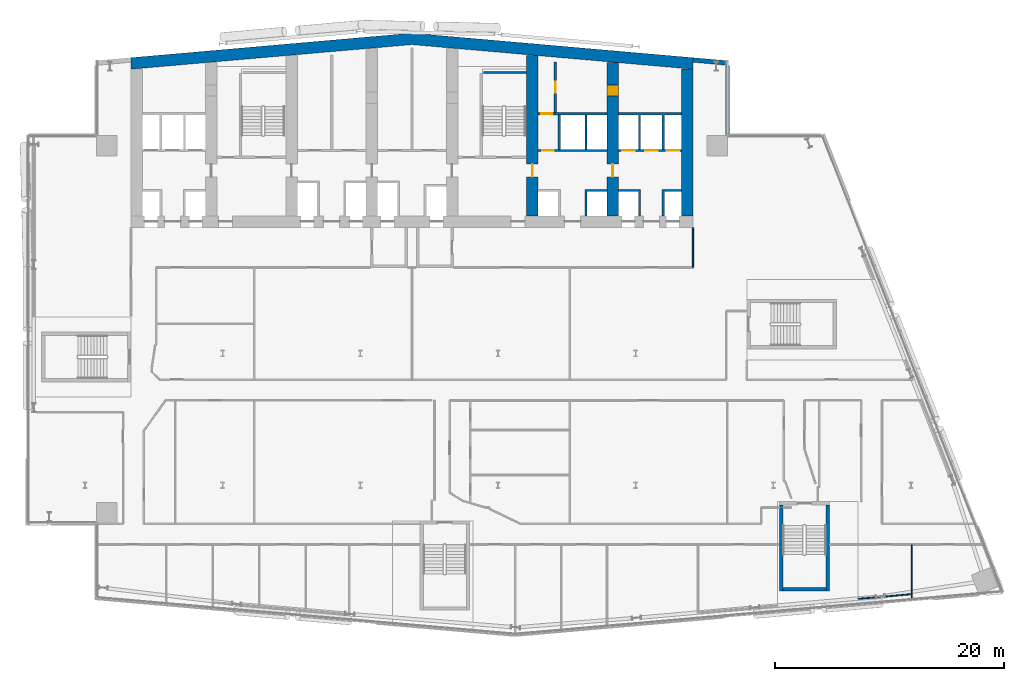
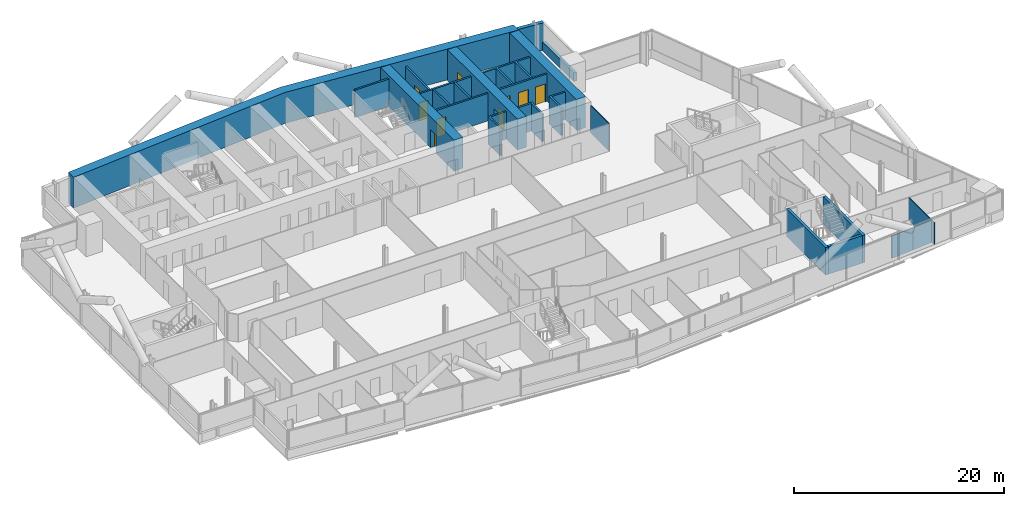
# One storey, part 19 of 27: 24 walls, 9 doors, 9 openings.
"""IFC4 building model written with IfcOpenShell, lengths in metres."""

from ifc_helpers import new_model, si_unit, direction, frame, frame_2d, origin, place, context, subcontext, project, spatial, polyline, rectangle, outline, extrude, material, layer, layer_set, type_object, element, fill, save


model = new_model("IFC4")

# Units and contexts
model_context = context("Model", 3, precision=1e-05, world=origin(), true_north=direction((0.0, 1.0)))
body_context = subcontext(model_context, "Body", "Model", "MODEL_VIEW")
ifc_project = project(units=[si_unit("LENGTHUNIT", "METRE"), si_unit("AREAUNIT", "SQUARE_METRE"), si_unit("VOLUMEUNIT", "CUBIC_METRE"), si_unit("PLANEANGLEUNIT", "RADIAN"), si_unit("MASSUNIT", "GRAM", prefix="KILO")], contexts=[model_context])

# Site, building, storey
site_placement = place(None, origin())
site = spatial("IfcSite", under=ifc_project, at=site_placement, CompositionType="ELEMENT")
building_placement = place(site_placement, origin())
building = spatial("IfcBuilding", under=site, at=building_placement, Name="Wharfspan Tower", CompositionType="ELEMENT")
storey_placement = place(building_placement, frame((0.0, 0.0, 136.300049)))
storey = spatial("IfcBuildingStorey", under=building, at=storey_placement, Name="L32", CompositionType="ELEMENT", Elevation=136.300049)

# Walls
ifc_material_1 = material(Name="Gypsum board on steel studs", Category="steel")
ifc_layer_1 = layer(ifc_material_1, 0.100098)
ifc_layer_set_1 = layer_set([ifc_layer_1], Name="Gypsum board on steel studs")
wall_type_1 = type_object("IfcWallType", Name="Compartment wall 100 EI 60", PredefinedType="PARTITIONING", material=ifc_layer_set_1)
wall_1_placement = place(storey_placement, frame((65.0, 30.5, 0.0), z_axis=(0.0, 0.0, 1.0), x_axis=(0.0, 1.0, 0.0)))
element("IfcWall", 1, at=wall_1_placement, inside=storey, type_object=wall_type_1, Name="Partition L32.w055", PredefinedType="PARTITIONING", context=body_context, shape_type="SweptSolid", body=[
    extrude(rectangle(XDim=3.47998, YDim=0.100098, at=frame_2d((1.73999, 0.0))), origin(), (0.0, 0.0, 1.0), 3.199951),
])
wall_2_placement = place(storey_placement, frame((84.060059, 1.525391, 0.0), z_axis=(0.0, 0.0, 1.0), x_axis=(0.0, 1.0, 0.0)))
element("IfcWall", 2, at=wall_2_placement, inside=storey, type_object=wall_type_1, Name="Partition L32.w087", PredefinedType="PARTITIONING", context=body_context, shape_type="SweptSolid", body=[
    extrude(rectangle(XDim=4.81958, YDim=0.100098, at=frame_2d((2.409668, 0.0))), origin(), (0.0, 0.0, 1.0), 2.579834),
])

# Wall, opening, door
ifc_material_2 = material(Name="Calcium silicate masonry", Category="masonry")
ifc_layer_2 = layer(ifc_material_2, 0.199951)
ifc_layer_set_2 = layer_set([ifc_layer_2], Name="Calcium silicate masonry")
wall_type_2 = type_object("IfcWallType", Name="Core room wall 200", PredefinedType="PARTITIONING", material=ifc_layer_set_2)
wall_3_placement = place(storey_placement, frame((53.0, 44.0, 0.0), z_axis=(0.0, 0.0, 1.0), x_axis=(0.0, 1.0, 0.0)))
wall_3 = element("IfcWall", 3, at=wall_3_placement, inside=storey, type_object=wall_type_2, Name="sw:L32:RP6.1", PredefinedType="PARTITIONING", context=body_context, shape_type="SweptSolid", body=[
    extrude(rectangle(XDim=4.419678, YDim=0.199951, at=frame_2d((2.209961, 0.0))), origin(), (0.0, 0.0, 1.0), 3.199951),
])
opening_1_placement = place(wall_3_placement, frame((1.709961, 0.0, 0.0)))
opening_1 = element("IfcOpeningElement", 4, at=opening_1_placement, cuts=wall_3, Name="Opening CD32.6P1", PredefinedType="OPENING", context=body_context, shape_type="SweptSolid", body=[
    extrude(rectangle(XDim=1.0, YDim=2.100098, at=frame_2d((0.5, 1.050049))), frame((0.0, 0.109863, 0.0), z_axis=(0.0, -1.0, 0.0), x_axis=(1.0, 0.0, 0.0)), (0.0, 0.0, 1.0), 0.219971),
])
ifc_material_3 = material(Name="Steel door leaf", Category="steel")
door_type_1 = type_object("IfcDoorType", Name="Core room door 1000x2100", OperationType="SINGLE_SWING_LEFT", PredefinedType="DOOR", material=ifc_material_3)
door_1_placement = place(opening_1_placement, origin())
door_1 = element("IfcDoor", 5, at=door_1_placement, inside=storey, type_object=door_type_1, Name="d:L32:6:rp1", OperationType="SINGLE_SWING_LEFT", OverallHeight=2.100098, OverallWidth=1.0, PredefinedType="DOOR", context=body_context, shape_type="SweptSolid", body=[
    extrude(rectangle(XDim=1.0, YDim=2.100098, at=frame_2d((0.5, 1.050049))), frame((0.0, 0.024902, 0.0), z_axis=(0.0, -1.0, 0.0), x_axis=(1.0, 0.0, 0.0)), (0.0, 0.0, 1.0), 0.050049),
])
fill(opening_1, door_1)

# Wall
ifc_material_4 = material(Name="Concrete C70/85", Category="concrete")
ifc_layer_3 = layer(ifc_material_4, 1.0)
ifc_layer_set_3 = layer_set([ifc_layer_3], Name="Concrete C70/85")
wall_type_3 = type_object("IfcWallType", Name="Core wall 1000 C70/85", PredefinedType="SHEAR", material=ifc_layer_set_3)
wall_4_placement = place(storey_placement, frame((0.0, 0.0, -0.000244)))
element("IfcWall", 6, at=wall_4_placement, inside=storey, type_object=wall_type_3, Name="Core rear wall L32", PredefinedType="SHEAR", context=body_context, shape_type="SweptSolid", body=[
    extrude(outline(polyline([(16.0, 47.783691), (40.5, 49.927002), (65.0, 47.783691), (65.0, 48.787354), (40.5, 50.930908), (16.0, 48.787354), (16.0, 47.783691)])), origin(), (0.0, 0.0, 1.0), 3.600098),
])

# Wall, opening, door
wall_5_placement = place(storey_placement, frame((51.0, 35.0, 0.0), z_axis=(0.0, 0.0, 1.0), x_axis=(0.0, 1.0, 0.0)))
wall_5 = element("IfcWall", 7, at=wall_5_placement, inside=storey, type_object=wall_type_3, Name="Core cross wall X6 L32", PredefinedType="SHEAR", context=body_context, shape_type="SweptSolid", body=[
    extrude(rectangle(XDim=13.9646, YDim=1.0, at=frame_2d((6.982422, 0.0))), origin(), (0.0, 0.0, 1.0), 3.599854),
])
opening_2_placement = place(wall_5_placement, frame((3.399902, 0.0, 0.0)))
opening_2 = element("IfcOpeningElement", 8, at=opening_2_placement, cuts=wall_5, Name="Opening CC32.6", PredefinedType="OPENING", context=body_context, shape_type="SweptSolid", body=[
    extrude(rectangle(XDim=1.100098, YDim=2.100098, at=frame_2d((0.550049, 1.050049))), frame((0.0, 0.51001, 0.0), z_axis=(0.0, -1.0, 0.0), x_axis=(1.0, 0.0, 0.0)), (0.0, 0.0, 1.0), 1.02002),
])
door_type_2 = type_object("IfcDoorType", Name="Core corridor door 1100x2100", OperationType="SINGLE_SWING_LEFT", PredefinedType="DOOR", material=ifc_material_3)
door_2_placement = place(opening_2_placement, origin())
door_2 = element("IfcDoor", 9, at=door_2_placement, inside=storey, type_object=door_type_2, Name="xd:L32:6", OperationType="SINGLE_SWING_RIGHT", OverallHeight=2.100098, OverallWidth=1.100098, PredefinedType="DOOR", context=body_context, shape_type="SweptSolid", body=[
    extrude(rectangle(XDim=1.100098, YDim=2.100098, at=frame_2d((0.550049, 1.050049))), frame((0.0, 0.024902, 0.0), z_axis=(0.0, -1.0, 0.0), x_axis=(1.0, 0.0, 0.0)), (0.0, 0.0, 1.0), 0.050049),
])
fill(opening_2, door_2)

# Wall, openings, doors
wall_6_placement = place(storey_placement, frame((58.0, 35.0, 0.0), z_axis=(0.0, 0.0, 1.0), x_axis=(0.0, 1.0, 0.0)))
wall_6 = element("IfcWall", 10, at=wall_6_placement, inside=storey, type_object=wall_type_3, Name="Core cross wall X7 L32", PredefinedType="SHEAR", context=body_context, shape_type="SweptSolid", body=[
    extrude(rectangle(XDim=13.352295, YDim=1.0, at=frame_2d((6.67627, 0.0))), origin(), (0.0, 0.0, 1.0), 3.599854),
])
opening_3_placement = place(wall_6_placement, frame((10.425537, 0.0, 0.0)))
opening_3 = element("IfcOpeningElement", 11, at=opening_3_placement, cuts=wall_6, Name="Opening CD32.7X", PredefinedType="OPENING", context=body_context, shape_type="SweptSolid", body=[
    extrude(rectangle(XDim=1.0, YDim=2.100098, at=frame_2d((0.5, 1.050049))), frame((0.0, 0.51001, 0.0), z_axis=(0.0, -1.0, 0.0), x_axis=(1.0, 0.0, 0.0)), (0.0, 0.0, 1.0), 1.02002),
])
opening_4_placement = place(wall_6_placement, frame((3.399902, 0.0, 0.0)))
opening_4 = element("IfcOpeningElement", 12, at=opening_4_placement, cuts=wall_6, Name="Opening CC32.7", PredefinedType="OPENING", context=body_context, shape_type="SweptSolid", body=[
    extrude(rectangle(XDim=1.100098, YDim=2.100098, at=frame_2d((0.550049, 1.050049))), frame((0.0, 0.51001, 0.0), z_axis=(0.0, -1.0, 0.0), x_axis=(1.0, 0.0, 0.0)), (0.0, 0.0, 1.0), 1.02002),
])
door_3_placement = place(opening_4_placement, origin())
door_3 = element("IfcDoor", 13, at=door_3_placement, inside=storey, type_object=door_type_2, Name="xd:L32:7", OperationType="SINGLE_SWING_LEFT", OverallHeight=2.100098, OverallWidth=1.100098, PredefinedType="DOOR", context=body_context, shape_type="SweptSolid", body=[
    extrude(rectangle(XDim=1.100098, YDim=2.100098, at=frame_2d((0.550049, 1.050049))), frame((0.0, 0.024902, 0.0), z_axis=(0.0, -1.0, 0.0), x_axis=(1.0, 0.0, 0.0)), (0.0, 0.0, 1.0), 0.050049),
])
fill(opening_4, door_3)
door_4_placement = place(opening_3_placement, origin())
door_4 = element("IfcDoor", 14, at=door_4_placement, inside=storey, type_object=door_type_1, Name="d:L32:7:sx", OperationType="SINGLE_SWING_LEFT", OverallHeight=2.100098, OverallWidth=1.0, PredefinedType="DOOR", context=body_context, shape_type="SweptSolid", body=[
    extrude(rectangle(XDim=1.0, YDim=2.100098, at=frame_2d((0.5, 1.050049))), frame((0.0, 0.499756, 0.0), z_axis=(0.0, -1.0, 0.0), x_axis=(1.0, 0.0, 0.0)), (0.0, 0.0, 1.0), 0.999512),
])
fill(opening_3, door_4)

# Wall
wall_7_placement = place(storey_placement, frame((64.5, 35.0, 0.0), z_axis=(0.0, 0.0, 1.0), x_axis=(0.0, 1.0, 0.0)))
element("IfcWall", 15, at=wall_7_placement, inside=storey, type_object=wall_type_3, Name="Core cross wall EW1 L32", PredefinedType="SHEAR", context=body_context, shape_type="SweptSolid", body=[
    extrude(rectangle(XDim=12.783691, YDim=1.0, at=frame_2d((6.391846, 0.0))), origin(), (0.0, 0.0, 1.0), 3.599854),
])

# Wall, opening, door
ifc_material_5 = material(Name="Concrete C30/37", Category="concrete")
ifc_layer_4 = layer(ifc_material_5, 0.199951)
ifc_layer_set_4 = layer_set([ifc_layer_4], Name="Concrete C30/37")
wall_type_4 = type_object("IfcWallType", Name="Lift shaft wall 200", PredefinedType="PARTITIONING", material=ifc_layer_set_4)
wall_8_placement = place(storey_placement, frame((51.5, 40.699951, 0.0), z_axis=(0.0, 0.0, 1.0), x_axis=(1.0, 0.0, 0.0)))
wall_8 = element("IfcWall", 16, at=wall_8_placement, inside=storey, type_object=wall_type_4, Name="sw:L32:RF6", PredefinedType="PARTITIONING", context=body_context, shape_type="SweptSolid", body=[
    extrude(rectangle(XDim=6.0, YDim=0.199951, at=frame_2d((3.0, 0.0))), origin(), (0.0, 0.0, 1.0), 3.199951),
])
opening_5_placement = place(wall_8_placement, frame((0.366699, 0.0, 0.0)))
opening_5 = element("IfcOpeningElement", 17, at=opening_5_placement, cuts=wall_8, Name="Opening CD32.6R1", PredefinedType="OPENING", context=body_context, shape_type="SweptSolid", body=[
    extrude(rectangle(XDim=1.0, YDim=2.100098, at=frame_2d((0.5, 1.050049))), frame((0.0, 0.109863, 0.0), z_axis=(0.0, -1.0, 0.0), x_axis=(1.0, 0.0, 0.0)), (0.0, 0.0, 1.0), 0.219971),
])
door_5_placement = place(opening_5_placement, origin())
door_5 = element("IfcDoor", 18, at=door_5_placement, inside=storey, type_object=door_type_1, Name="d:L32:6:rd6.1", OperationType="SINGLE_SWING_RIGHT", OverallHeight=2.100098, OverallWidth=1.0, PredefinedType="DOOR", context=body_context, shape_type="SweptSolid", body=[
    extrude(rectangle(XDim=1.0, YDim=2.100098, at=frame_2d((0.5, 1.050049))), frame((0.0, 0.024902, 0.0), z_axis=(0.0, -1.0, 0.0), x_axis=(1.0, 0.0, 0.0)), (0.0, 0.0, 1.0), 0.050049),
])
fill(opening_5, door_5)

wall_9_placement = place(storey_placement, frame((51.5, 43.899902, 0.0), z_axis=(0.0, 0.0, 1.0), x_axis=(1.0, 0.0, 0.0)))
wall_9 = element("IfcWall", 19, at=wall_9_placement, inside=storey, type_object=wall_type_4, Name="sw:L32:RR6", PredefinedType="PARTITIONING", context=body_context, shape_type="SweptSolid", body=[
    extrude(rectangle(XDim=6.0, YDim=0.199951, at=frame_2d((3.0, 0.0))), origin(), (0.0, 0.0, 1.0), 3.199951),
])
opening_6_placement = place(wall_9_placement, frame((0.25, 0.0, 0.0)))
opening_6 = element("IfcOpeningElement", 20, at=opening_6_placement, cuts=wall_9, Name="Opening CD32.6S1", PredefinedType="OPENING", context=body_context, shape_type="SweptSolid", body=[
    extrude(rectangle(XDim=1.0, YDim=2.100098, at=frame_2d((0.5, 1.050049))), frame((0.0, 0.109863, 0.0), z_axis=(0.0, -1.0, 0.0), x_axis=(1.0, 0.0, 0.0)), (0.0, 0.0, 1.0), 0.219971),
])
door_6_placement = place(opening_6_placement, origin())
door_6 = element("IfcDoor", 21, at=door_6_placement, inside=storey, type_object=door_type_1, Name="d:L32:6:rs6.1", OperationType="SINGLE_SWING_LEFT", OverallHeight=2.100098, OverallWidth=1.0, PredefinedType="DOOR", context=body_context, shape_type="SweptSolid", body=[
    extrude(rectangle(XDim=1.0, YDim=2.100098, at=frame_2d((0.5, 1.050049))), frame((0.0, 0.024902, 0.0), z_axis=(0.0, -1.0, 0.0), x_axis=(1.0, 0.0, 0.0)), (0.0, 0.0, 1.0), 0.050049),
])
fill(opening_6, door_6)

# Walls
wall_10_placement = place(storey_placement, frame((0.0, 0.0, -0.000244)))
element("IfcWall", 22, at=wall_10_placement, inside=storey, type_object=wall_type_4, Name="sw:L32:FM6.1", PredefinedType="PARTITIONING", context=body_context, shape_type="SweptSolid", body=[
    extrude(outline(polyline([(55.56665, 37.300049), (55.766602, 37.300049), (57.5, 37.300049), (57.5, 37.100098), (55.766602, 37.100098), (55.766602, 35.0), (55.56665, 35.0), (55.56665, 37.300049)])), origin(), (0.0, 0.0, 1.0), 3.200195),
])
wall_11_placement = place(storey_placement, frame((0.0, 0.0, -0.000244)))
element("IfcWall", 23, at=wall_11_placement, inside=storey, type_object=wall_type_4, Name="sw:L32:RM6.0", PredefinedType="PARTITIONING", context=body_context, shape_type="SweptSolid", body=[
    extrude(outline(polyline([(53.233398, 40.800049), (53.233398, 43.800049), (53.43335, 43.800049), (53.43335, 40.800049), (53.233398, 40.800049)])), origin(), (0.0, 0.0, 1.0), 3.200195),
])
wall_12_placement = place(storey_placement, frame((0.0, 0.0, -0.000244)))
element("IfcWall", 24, at=wall_12_placement, inside=storey, type_object=wall_type_4, Name="sw:L32:RM6.1", PredefinedType="PARTITIONING", context=body_context, shape_type="SweptSolid", body=[
    extrude(outline(polyline([(55.56665, 40.800049), (55.56665, 43.800049), (55.766602, 43.800049), (55.766602, 40.800049), (55.56665, 40.800049)])), origin(), (0.0, 0.0, 1.0), 3.200195),
])

# Wall, openings, doors
wall_13_placement = place(storey_placement, frame((58.5, 40.699951, 0.0), z_axis=(0.0, 0.0, 1.0), x_axis=(1.0, 0.0, 0.0)))
wall_13 = element("IfcWall", 25, at=wall_13_placement, inside=storey, type_object=wall_type_4, Name="sw:L32:RF7", PredefinedType="PARTITIONING", context=body_context, shape_type="SweptSolid", body=[
    extrude(rectangle(XDim=5.5, YDim=0.199951, at=frame_2d((2.75, 0.0))), origin(), (0.0, 0.0, 1.0), 3.199951),
])
opening_7_placement = place(wall_13_placement, frame((0.31665, 0.0, 0.0)))
opening_7 = element("IfcOpeningElement", 26, at=opening_7_placement, cuts=wall_13, Name="Opening LD.LA8.L32", PredefinedType="OPENING", context=body_context, shape_type="SweptSolid", body=[
    extrude(rectangle(XDim=1.100098, YDim=2.100098, at=frame_2d((0.550049, 1.050049))), frame((0.0, 0.109863, 0.0), z_axis=(0.0, -1.0, 0.0), x_axis=(1.0, 0.0, 0.0)), (0.0, 0.0, 1.0), 0.219971),
])
opening_8_placement = place(wall_13_placement, frame((2.31665, 0.0, 0.0)))
opening_8 = element("IfcOpeningElement", 27, at=opening_8_placement, cuts=wall_13, Name="Opening LD.LA9.L32", PredefinedType="OPENING", context=body_context, shape_type="SweptSolid", body=[
    extrude(rectangle(XDim=1.100098, YDim=2.100098, at=frame_2d((0.550049, 1.050049))), frame((0.0, 0.109863, 0.0), z_axis=(0.0, -1.0, 0.0), x_axis=(1.0, 0.0, 0.0)), (0.0, 0.0, 1.0), 0.219971),
])
opening_9_placement = place(wall_13_placement, frame((4.199951, 0.0, 0.0)))
opening_9 = element("IfcOpeningElement", 28, at=opening_9_placement, cuts=wall_13, Name="Opening LD.LA10.L32", PredefinedType="OPENING", context=body_context, shape_type="SweptSolid", body=[
    extrude(rectangle(XDim=1.100098, YDim=2.100098, at=frame_2d((0.550049, 1.050049))), frame((0.0, 0.109863, 0.0), z_axis=(0.0, -1.0, 0.0), x_axis=(1.0, 0.0, 0.0)), (0.0, 0.0, 1.0), 0.219971),
])
ifc_material_6 = material(Name="Stainless steel", Category="steel")
door_type_3 = type_object("IfcDoorType", Name="Lift landing door 1100x2100", OperationType="DOUBLE_DOOR_SLIDING", PredefinedType="DOOR", material=ifc_material_6)
door_7_placement = place(opening_7_placement, origin())
door_7 = element("IfcDoor", 29, at=door_7_placement, inside=storey, type_object=door_type_3, Name="Landing door LA8 L32", OperationType="DOUBLE_DOOR_SLIDING", OverallHeight=2.100098, OverallWidth=1.100098, PredefinedType="DOOR", context=body_context, shape_type="SweptSolid", body=[
    extrude(rectangle(XDim=1.100098, YDim=2.100098, at=frame_2d((0.550049, 1.050049))), frame((0.0, 0.024902, 0.0), z_axis=(0.0, -1.0, 0.0), x_axis=(1.0, 0.0, 0.0)), (0.0, 0.0, 1.0), 0.050049),
])
fill(opening_7, door_7)
door_8_placement = place(opening_8_placement, origin())
door_8 = element("IfcDoor", 30, at=door_8_placement, inside=storey, type_object=door_type_3, Name="Landing door LA9 L32", OperationType="DOUBLE_DOOR_SLIDING", OverallHeight=2.100098, OverallWidth=1.100098, PredefinedType="DOOR", context=body_context, shape_type="SweptSolid", body=[
    extrude(rectangle(XDim=1.100098, YDim=2.100098, at=frame_2d((0.550049, 1.050049))), frame((0.0, 0.024902, 0.0), z_axis=(0.0, -1.0, 0.0), x_axis=(1.0, 0.0, 0.0)), (0.0, 0.0, 1.0), 0.050049),
])
fill(opening_8, door_8)
door_9_placement = place(opening_9_placement, origin())
door_9 = element("IfcDoor", 31, at=door_9_placement, inside=storey, type_object=door_type_3, Name="Landing door LA10 L32", OperationType="DOUBLE_DOOR_SLIDING", OverallHeight=2.100098, OverallWidth=1.100098, PredefinedType="DOOR", context=body_context, shape_type="SweptSolid", body=[
    extrude(rectangle(XDim=1.100098, YDim=2.100098, at=frame_2d((0.550049, 1.050049))), frame((0.0, 0.024902, 0.0), z_axis=(0.0, -1.0, 0.0), x_axis=(1.0, 0.0, 0.0)), (0.0, 0.0, 1.0), 0.050049),
])
fill(opening_9, door_9)

# Walls
wall_14_placement = place(storey_placement, frame((0.0, 0.0, -0.000244)))
element("IfcWall", 32, at=wall_14_placement, inside=storey, type_object=wall_type_4, Name="sw:L32:FM7.0", PredefinedType="PARTITIONING", context=body_context, shape_type="SweptSolid", body=[
    extrude(outline(polyline([(60.233398, 37.100098), (58.5, 37.100098), (58.5, 37.300049), (60.233398, 37.300049), (60.43335, 37.300049), (60.43335, 35.0), (60.233398, 35.0), (60.233398, 37.100098)])), origin(), (0.0, 0.0, 1.0), 3.200195),
])
wall_15_placement = place(storey_placement, frame((0.0, 0.0, -0.000244)))
element("IfcWall", 33, at=wall_15_placement, inside=storey, type_object=wall_type_4, Name="sw:L32:FM7.1", PredefinedType="PARTITIONING", context=body_context, shape_type="SweptSolid", body=[
    extrude(outline(polyline([(62.300049, 37.300049), (62.5, 37.300049), (64.0, 37.300049), (64.0, 37.100098), (62.5, 37.100098), (62.5, 35.0), (62.300049, 35.0), (62.300049, 37.300049)])), origin(), (0.0, 0.0, 1.0), 3.200195),
])
wall_16_placement = place(storey_placement, frame((0.0, 0.0, -0.000244)))
element("IfcWall", 34, at=wall_16_placement, inside=storey, type_object=wall_type_4, Name="sw:L32:RM7.0", PredefinedType="PARTITIONING", context=body_context, shape_type="SweptSolid", body=[
    extrude(outline(polyline([(60.43335, 40.800049), (60.233398, 40.800049), (60.233398, 43.800049), (58.5, 43.800049), (58.5, 44.0), (64.0, 44.0), (64.0, 43.800049), (62.5, 43.800049), (62.5, 40.800049), (62.300049, 40.800049), (62.300049, 43.800049), (60.43335, 43.800049), (60.43335, 40.800049)])), origin(), (0.0, 0.0, 1.0), 3.200195),
])
ifc_layer_5 = layer(ifc_material_1, 0.100098)
ifc_layer_set_5 = layer_set([ifc_layer_5], Name="Gypsum board on steel studs")
wall_type_5 = type_object("IfcWallType", Name="Partition 100", PredefinedType="PARTITIONING", material=ifc_layer_set_5)
wall_17_placement = place(storey_placement, frame((79.385986, 1.606689, 0.0), z_axis=(0.0, 0.0, 1.0), x_axis=(0.996209, 0.086973, 0.0)))
element("IfcWall", 35, at=wall_17_placement, inside=storey, type_object=wall_type_5, Name="Partition L32.w078", PredefinedType="PARTITIONING", context=body_context, shape_type="SweptSolid", body=[
    extrude(rectangle(XDim=2.453369, YDim=0.100098, at=frame_2d((1.226562, 0.0))), origin(), (0.0, 0.0, 1.0), 2.579834),
])
wall_18_placement = place(storey_placement, frame((81.830078, 1.814941, 0.0), z_axis=(0.0, 0.0, 1.0), x_axis=(0.995841, 0.091138, 0.0)))
element("IfcWall", 36, at=wall_18_placement, inside=storey, type_object=wall_type_5, Name="Partition L32.w084", PredefinedType="PARTITIONING", context=body_context, shape_type="SweptSolid", body=[
    extrude(rectangle(XDim=2.193848, YDim=0.100098, at=frame_2d((1.096924, 0.0))), origin(), (0.0, 0.0, 1.0), 2.579834),
])
ifc_material_7 = material(Name="Concrete C40/50", Category="concrete")
ifc_layer_6 = layer(ifc_material_7, 0.350098)
ifc_layer_set_6 = layer_set([ifc_layer_6], Name="Concrete C40/50")
wall_type_6 = type_object("IfcWallType", Name="SPANDREL EXPOSED CONCRETE 350", PredefinedType="SOLIDWALL", material=ifc_layer_set_6)
wall_19_placement = place(storey_placement, frame((68.004883, 42.179932, 0.0), z_axis=(0.0, 0.0, 1.0), x_axis=(0.0, 1.0, 0.0)))
element("IfcWall", 37, at=wall_19_placement, inside=storey, type_object=wall_type_6, Name="Spandrel upstand L32 NRE-V", PredefinedType="SOLIDWALL", context=body_context, shape_type="SweptSolid", body=[
    extrude(rectangle(XDim=5.946533, YDim=0.350098, at=frame_2d((2.973145, 0.0))), origin(), (0.0, 0.0, 1.0), 1.0),
])
ifc_layer_7 = layer(ifc_material_7, 0.300049)
ifc_layer_set_7 = layer_set([ifc_layer_7], Name="Concrete C40/50")
wall_type_7 = type_object("IfcWallType", Name="Stair core wall 300", PredefinedType="SHEAR", material=ifc_layer_set_7)
for number, where, z_axis, x_axis, name in (
    (38, (72.690918, 2.294678, 0.0), (0.0, 0.0, 1.0), (0.0, 1.0, 0.0), "ST5 stair enclosure wall L32"),
    (39, (76.740967, 2.294678, 0.0), (0.0, 0.0, 1.0), (0.0, 1.0, 0.0), "ST5 stair enclosure wall L32"),
):
    element("IfcWall", number, at=place(storey_placement, frame(where, z_axis=z_axis, x_axis=x_axis)), inside=storey, type_object=wall_type_7, Name=name, PredefinedType="SHEAR", context=body_context, shape_type="SweptSolid", body=[
        extrude(rectangle(XDim=7.5, YDim=0.300049, at=frame_2d((3.75, 0.0))), origin(), (0.0, 0.0, 1.0), 3.199951),
    ])
wall_20_placement = place(storey_placement, frame((72.841064, 2.44458, 0.0), z_axis=(0.0, 0.0, 1.0), x_axis=(1.0, 0.0, 0.0)))
element("IfcWall", 40, at=wall_20_placement, inside=storey, type_object=wall_type_7, Name="ST5 stair enclosure wall L32", PredefinedType="SHEAR", context=body_context, shape_type="SweptSolid", body=[
    extrude(rectangle(XDim=3.75, YDim=0.300049, at=frame_2d((1.875, 0.0))), origin(), (0.0, 0.0, 1.0), 3.199951),
])
ifc_layer_8 = layer(ifc_material_7, 0.199951)
ifc_layer_set_8 = layer_set([ifc_layer_8], Name="Concrete C40/50")
wall_type_8 = type_object("IfcWallType", Name="Stair shaft wall 200", PredefinedType="SHEAR", material=ifc_layer_set_8)
wall_21_placement = place(storey_placement, frame((46.75, 47.5, 0.0), z_axis=(0.0, 0.0, 1.0), x_axis=(1.0, 0.0, 0.0)))
element("IfcWall", 41, at=wall_21_placement, inside=storey, type_object=wall_type_8, Name="ST2 stair enclosure wall L32", PredefinedType="SHEAR", context=body_context, shape_type="SweptSolid", body=[
    extrude(rectangle(XDim=3.75, YDim=0.199951, at=frame_2d((1.875, 0.0))), origin(), (0.0, 0.0, 1.0), 3.199951),
])
ifc_layer_9 = layer(ifc_material_7, 0.399902)
ifc_layer_set_9 = layer_set([ifc_layer_9], Name="Concrete C40/50")
wall_type_9 = type_object("IfcWallType", Name="WALL EXPOSED CONCRETE 400", PredefinedType="SOLIDWALL", material=ifc_layer_set_9)
wall_22_placement = place(storey_placement, frame((67.982666, 48.325684, 0.0), z_axis=(0.0, 0.0, 1.0), x_axis=(-0.996194, 0.087168, 0.0)))
element("IfcWall", 42, at=wall_22_placement, inside=storey, type_object=wall_type_9, Name="Rear wall N2", PredefinedType="SOLIDWALL", context=body_context, shape_type="SweptSolid", body=[
    extrude(rectangle(XDim=2.994141, YDim=0.399902, at=frame_2d((1.49707, 0.0))), origin(), (0.0, 0.0, 1.0), 3.199951),
])

save(model, "model.ifc")
